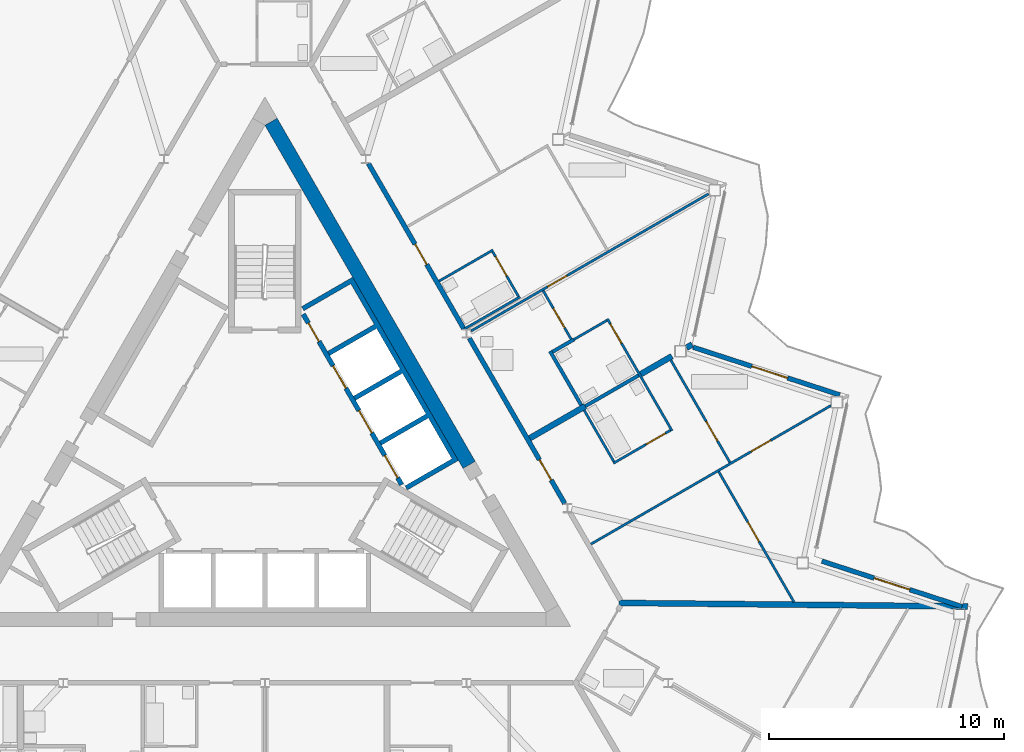
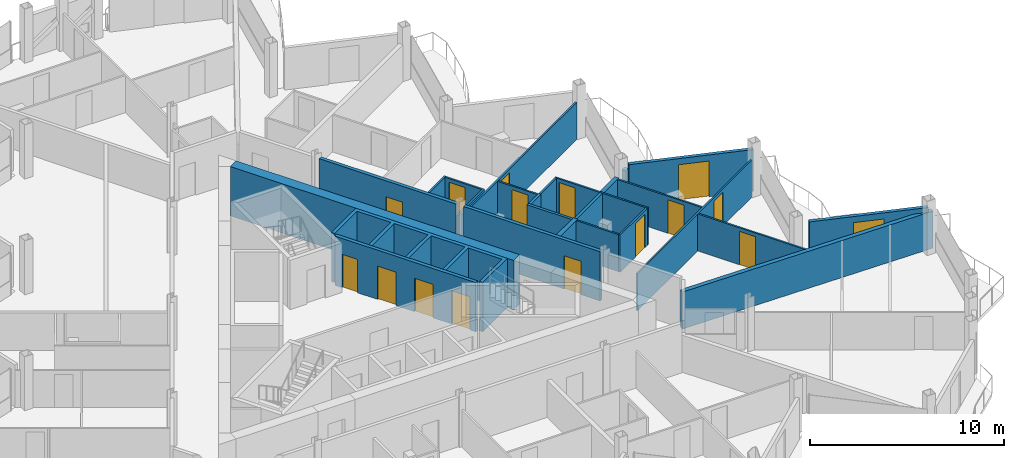
# One storey, part 16 of 26: 26 walls, 16 doors, 16 openings.
"""IFC4 building model written with IfcOpenShell, lengths in metres."""

from ifc_helpers import new_model, si_unit, direction, frame, frame_2d, origin, place, context, subcontext, project, spatial, polyline, rectangle, outline, extrude, material, layer, layer_set, type_object, element, fill, save


model = new_model("IFC4")

# Units and contexts
model_context = context("Model", 3, precision=1e-05, world=origin(), true_north=direction((0.0, 1.0)))
body_context = subcontext(model_context, "Body", "Model", "MODEL_VIEW")
ifc_project = project(units=[si_unit("LENGTHUNIT", "METRE"), si_unit("AREAUNIT", "SQUARE_METRE"), si_unit("VOLUMEUNIT", "CUBIC_METRE"), si_unit("PLANEANGLEUNIT", "RADIAN"), si_unit("MASSUNIT", "GRAM", prefix="KILO")], contexts=[model_context])

# Site, building, storey
site_placement = place(None, origin())
site = spatial("IfcSite", under=ifc_project, at=site_placement, CompositionType="ELEMENT")
building_placement = place(site_placement, origin())
building = spatial("IfcBuilding", under=site, at=building_placement, Name="Cormorant Prow Tower", CompositionType="ELEMENT")
storey_placement = place(building_placement, frame((0.0, 0.0, 374.60009765625)))
storey = spatial("IfcBuildingStorey", under=building, at=storey_placement, Name="L84", CompositionType="ELEMENT", Elevation=374.60009765625)

# Wall
ifc_material_1 = material(Name="Concrete 8000 psi", Category="concrete")
ifc_layer_1 = layer(ifc_material_1, 0.60009765625)
ifc_layer_set_1 = layer_set([ifc_layer_1], Name="Concrete 8000 psi")
wall_type_1 = type_object("IfcWallType", Name="Core shear wall 600", PredefinedType="SHEAR", material=ifc_layer_set_1)
wall_1_placement = place(storey_placement, frame((8.686279296875, -0.6337890625, 0.0), z_axis=(0.0, 0.0, 1.0), x_axis=(-0.500004601921, 0.866022746848, 0.0)))
element("IfcWall", 1, at=wall_1_placement, inside=storey, type_object=wall_type_1, Name="Core wall", PredefinedType="SHEAR", context=body_context, shape_type="SweptSolid", body=[
    extrude(rectangle(XDim=16.852783203125, YDim=0.60009765625, at=frame_2d((8.42626953125, 0.0))), origin(), (0.0, 0.0, 1.0), 3.099853515625),
])

# Wall, opening, door
ifc_material_2 = material(Name="Gypsum board corridor wall")
ifc_layer_2 = layer(ifc_material_2, 0.199951171875)
ifc_layer_set_2 = layer_set([ifc_layer_2], Name="Gypsum board corridor wall")
wall_type_2 = type_object("IfcWallType", Name="Corridor wall 200", PredefinedType="PARTITIONING", material=ifc_layer_set_2)
wall_2_placement = place(storey_placement, frame((4.403076171875, 12.184814453125, 0.0), z_axis=(0.0, 0.0, 1.0), x_axis=(0.499992155518, -0.866029932751, 0.0)))
wall_2 = element("IfcWall", 2, at=wall_2_placement, inside=storey, type_object=wall_type_2, Name="Corridor wall", PredefinedType="PARTITIONING", context=body_context, shape_type="SweptSolid", body=[
    extrude(rectangle(XDim=8.123291015625, YDim=0.199951171875, at=frame_2d((4.0615234375, 0.0))), origin(), (0.0, 0.0, 1.0), 3.099853515625),
])
opening_1_placement = place(wall_2_placement, frame((3.963134765625, 0.0, 0.0)))
opening_1 = element("IfcOpeningElement", 3, at=opening_1_placement, cuts=wall_2, Name="Opening L84-F27", PredefinedType="OPENING", context=body_context, shape_type="SweptSolid", body=[
    extrude(rectangle(XDim=1.0, YDim=2.10009765625, at=frame_2d((0.5, 1.050048828125))), frame((0.0, 0.10986328125, 0.0), z_axis=(0.0, -1.0, 0.0), x_axis=(1.0, 0.0, 0.0)), (0.0, 0.0, 1.0), 0.219970703125),
])
ifc_material_3 = material(Name="Timber door leaf", Category="wood")
door_type_1 = type_object("IfcDoorType", Name="Flat or room entrance door 1000x2100", OperationType="NOTDEFINED", PredefinedType="DOOR", material=ifc_material_3)
door_1_placement = place(opening_1_placement, origin())
door_1 = element("IfcDoor", 4, at=door_1_placement, inside=storey, type_object=door_type_1, Name="Living room door", OperationType="SINGLE_SWING_LEFT", OverallHeight=2.10009765625, OverallWidth=1.0, PredefinedType="DOOR", context=body_context, shape_type="SweptSolid", body=[
    extrude(rectangle(XDim=1.0, YDim=2.10009765625, at=frame_2d((0.5, 1.050048828125))), frame((0.0, 0.02490234375, 0.0), z_axis=(0.0, -1.0, 0.0), x_axis=(1.0, 0.0, 0.0)), (0.0, 0.0, 1.0), 0.050048828125),
])
fill(opening_1, door_1)

wall_3_placement = place(storey_placement, frame((8.692138671875, 4.755859375, 0.0), z_axis=(0.0, 0.0, 1.0), x_axis=(0.500001682468, -0.866024432409, 0.0)))
wall_3 = element("IfcWall", 5, at=wall_3_placement, inside=storey, type_object=wall_type_2, Name="Corridor wall", PredefinedType="PARTITIONING", context=body_context, shape_type="SweptSolid", body=[
    extrude(rectangle(XDim=8.12353515625, YDim=0.199951171875, at=frame_2d((4.061767578125, 0.0))), origin(), (0.0, 0.0, 1.0), 3.099853515625),
])
opening_2_placement = place(wall_3_placement, frame((5.97021484375, 0.0, 0.0)))
opening_2 = element("IfcOpeningElement", 6, at=opening_2_placement, cuts=wall_3, Name="Opening L84-F22", PredefinedType="OPENING", context=body_context, shape_type="SweptSolid", body=[
    extrude(rectangle(XDim=1.0, YDim=2.10009765625, at=frame_2d((0.5, 1.050048828125))), frame((0.0, 0.10986328125, 0.0), z_axis=(0.0, -1.0, 0.0), x_axis=(1.0, 0.0, 0.0)), (0.0, 0.0, 1.0), 0.219970703125),
])
door_2_placement = place(opening_2_placement, origin())
door_2 = element("IfcDoor", 7, at=door_2_placement, inside=storey, type_object=door_type_1, Name="Living room door", OperationType="SINGLE_SWING_LEFT", OverallHeight=2.10009765625, OverallWidth=1.0, PredefinedType="DOOR", context=body_context, shape_type="SweptSolid", body=[
    extrude(rectangle(XDim=1.0, YDim=2.10009765625, at=frame_2d((0.5, 1.050048828125))), frame((0.0, 0.02490234375, 0.0), z_axis=(0.0, -1.0, 0.0), x_axis=(1.0, 0.0, 0.0)), (0.0, 0.0, 1.0), 0.050048828125),
])
fill(opening_2, door_2)

ifc_material_4 = material(Name="Gypsum board partition")
ifc_layer_3 = layer(ifc_material_4, 0.10009765625)
ifc_layer_set_3 = layer_set([ifc_layer_3], Name="Gypsum board partition")
wall_type_3 = type_object("IfcWallType", Name="Internal partition 100", PredefinedType="PARTITIONING", material=ifc_layer_set_3)
wall_4_placement = place(storey_placement, frame((13.864990234375, -4.00390625, 0.0), z_axis=(0.0, 0.0, 1.0), x_axis=(0.866023404247, 0.500003463284, 0.0)))
wall_4 = element("IfcWall", 8, at=wall_4_placement, inside=storey, type_object=wall_type_3, Name="Internal partition", PredefinedType="PARTITIONING", context=body_context, shape_type="SweptSolid", body=[
    extrude(rectangle(XDim=11.7822265625, YDim=0.10009765625, at=frame_2d((5.89111328125, 0.0))), origin(), (0.0, 0.0, 1.0), 2.330078125),
])
opening_3_placement = place(wall_4_placement, frame((7.87353515625, 0.0, 0.0)))
opening_3 = element("IfcOpeningElement", 9, at=opening_3_placement, cuts=wall_4, Name="Opening L84-F25", PredefinedType="OPENING", context=body_context, shape_type="SweptSolid", body=[
    extrude(rectangle(XDim=0.949951171875, YDim=2.10009765625, at=frame_2d((0.47509765625, 1.050048828125))), frame((0.0, 0.06005859375, 0.0), z_axis=(0.0, -1.0, 0.0), x_axis=(1.0, 0.0, 0.0)), (0.0, 0.0, 1.0), 0.1201171875),
])
ifc_material_5 = material(Name="Timber door leaf", Category="wood")
door_type_2 = type_object("IfcDoorType", Name="Bathroom door 950x2100", OperationType="NOTDEFINED", PredefinedType="DOOR", material=ifc_material_5)
door_3_placement = place(opening_3_placement, origin())
door_3 = element("IfcDoor", 10, at=door_3_placement, inside=storey, type_object=door_type_2, Name="Kitchen door", OperationType="SINGLE_SWING_LEFT", OverallHeight=2.10009765625, OverallWidth=0.949951171875, PredefinedType="DOOR", context=body_context, shape_type="SweptSolid", body=[
    extrude(rectangle(XDim=0.949951171875, YDim=2.10009765625, at=frame_2d((0.47509765625, 1.050048828125))), frame((0.0, 0.02490234375, 0.0), z_axis=(0.0, -1.0, 0.0), x_axis=(1.0, 0.0, 0.0)), (0.0, 0.0, 1.0), 0.050048828125),
])
fill(opening_3, door_3)

wall_5_placement = place(storey_placement, frame((8.775390625, 5.06640625, 0.0), z_axis=(0.0, 0.0, 1.0), x_axis=(0.866023724155, 0.500002909193, 0.0)))
wall_5 = element("IfcWall", 11, at=wall_5_placement, inside=storey, type_object=wall_type_3, Name="Internal partition", PredefinedType="PARTITIONING", context=body_context, shape_type="SweptSolid", body=[
    extrude(rectangle(XDim=11.65478515625, YDim=0.10009765625, at=frame_2d((5.827392578125, 0.0))), origin(), (0.0, 0.0, 1.0), 2.330078125),
])
opening_4_placement = place(wall_5_placement, frame((3.75146484375, 0.0, 0.0)))
opening_4 = element("IfcOpeningElement", 12, at=opening_4_placement, cuts=wall_5, Name="Opening L84-F30", PredefinedType="OPENING", context=body_context, shape_type="SweptSolid", body=[
    extrude(rectangle(XDim=0.949951171875, YDim=2.10009765625, at=frame_2d((0.47509765625, 1.050048828125))), frame((0.0, 0.06005859375, 0.0), z_axis=(0.0, -1.0, 0.0), x_axis=(1.0, 0.0, 0.0)), (0.0, 0.0, 1.0), 0.1201171875),
])
door_4_placement = place(opening_4_placement, origin())
door_4 = element("IfcDoor", 13, at=door_4_placement, inside=storey, type_object=door_type_2, Name="Living room door", OperationType="SINGLE_SWING_LEFT", OverallHeight=2.10009765625, OverallWidth=0.949951171875, PredefinedType="DOOR", context=body_context, shape_type="SweptSolid", body=[
    extrude(rectangle(XDim=0.949951171875, YDim=2.10009765625, at=frame_2d((0.47509765625, 1.050048828125))), frame((0.0, 0.02490234375, 0.0), z_axis=(0.0, -1.0, 0.0), x_axis=(1.0, 0.0, 0.0)), (0.0, 0.0, 1.0), 0.050048828125),
])
fill(opening_4, door_4)

wall_6_placement = place(storey_placement, frame((19.301513671875, -0.9228515625, 0.0), z_axis=(0.0, 0.0, 1.0), x_axis=(0.499999516514, -0.866025682925, 0.0)))
wall_6 = element("IfcWall", 14, at=wall_6_placement, inside=storey, type_object=wall_type_3, Name="Internal partition", PredefinedType="PARTITIONING", context=body_context, shape_type="SweptSolid", body=[
    extrude(rectangle(XDim=6.4072265625, YDim=0.10009765625, at=frame_2d((3.20361328125, 0.0))), origin(), (0.0, 0.0, 1.0), 2.330078125),
])
opening_5_placement = place(wall_6_placement, frame((2.4755859375, 0.0, 0.0)))
opening_5 = element("IfcOpeningElement", 15, at=opening_5_placement, cuts=wall_6, Name="Opening L84-F26", PredefinedType="OPENING", context=body_context, shape_type="SweptSolid", body=[
    extrude(rectangle(XDim=0.949951171875, YDim=2.10009765625, at=frame_2d((0.47509765625, 1.050048828125))), frame((0.0, 0.06005859375, 0.0), z_axis=(0.0, -1.0, 0.0), x_axis=(1.0, 0.0, 0.0)), (0.0, 0.0, 1.0), 0.1201171875),
])
door_5_placement = place(opening_5_placement, origin())
door_5 = element("IfcDoor", 16, at=door_5_placement, inside=storey, type_object=door_type_2, Name="Bedroom door", OperationType="SINGLE_SWING_RIGHT", OverallHeight=2.10009765625, OverallWidth=0.949951171875, PredefinedType="DOOR", context=body_context, shape_type="SweptSolid", body=[
    extrude(rectangle(XDim=0.949951171875, YDim=2.10009765625, at=frame_2d((0.47509765625, 1.050048828125))), frame((0.0, 0.02490234375, 0.0), z_axis=(0.0, -1.0, 0.0), x_axis=(1.0, 0.0, 0.0)), (0.0, 0.0, 1.0), 0.050048828125),
])
fill(opening_5, door_5)

wall_7_placement = place(storey_placement, frame((14.566650390625, 5.5810546875, 0.0), z_axis=(0.0, 0.0, 1.0), x_axis=(0.499996545922, -0.866027397988, 0.0)))
wall_7 = element("IfcWall", 17, at=wall_7_placement, inside=storey, type_object=wall_type_3, Name="Internal partition", PredefinedType="PARTITIONING", context=body_context, shape_type="SweptSolid", body=[
    extrude(rectangle(XDim=5.5, YDim=0.10009765625, at=frame_2d((2.75, 0.0))), origin(), (0.0, 0.0, 1.0), 2.330078125),
])
opening_6_placement = place(wall_7_placement, frame((0.25, 0.0, 0.0)))
opening_6 = element("IfcOpeningElement", 18, at=opening_6_placement, cuts=wall_7, Name="Opening L84-F34", PredefinedType="OPENING", context=body_context, shape_type="SweptSolid", body=[
    extrude(rectangle(XDim=0.949951171875, YDim=2.10009765625, at=frame_2d((0.47509765625, 1.050048828125))), frame((0.0, 0.06005859375, 0.0), z_axis=(0.0, -1.0, 0.0), x_axis=(1.0, 0.0, 0.0)), (0.0, 0.0, 1.0), 0.1201171875),
])
door_6_placement = place(opening_6_placement, origin())
door_6 = element("IfcDoor", 19, at=door_6_placement, inside=storey, type_object=door_type_2, Name="Bedroom door", OperationType="SINGLE_SWING_LEFT", OverallHeight=2.10009765625, OverallWidth=0.949951171875, PredefinedType="DOOR", context=body_context, shape_type="SweptSolid", body=[
    extrude(rectangle(XDim=0.949951171875, YDim=2.10009765625, at=frame_2d((0.47509765625, 1.050048828125))), frame((0.0, 0.02490234375, 0.0), z_axis=(0.0, -1.0, 0.0), x_axis=(1.0, 0.0, 0.0)), (0.0, 0.0, 1.0), 0.050048828125),
])
fill(opening_6, door_6)

wall_8_placement = place(storey_placement, frame((17.266357421875, 3.81982421875, 0.0), z_axis=(0.0, 0.0, 1.0), x_axis=(0.499990214365, -0.86603105345, 0.0)))
wall_8 = element("IfcWall", 20, at=wall_8_placement, inside=storey, type_object=wall_type_3, Name="Internal partition", PredefinedType="PARTITIONING", context=body_context, shape_type="SweptSolid", body=[
    extrude(rectangle(XDim=5.02490234375, YDim=0.10009765625, at=frame_2d((2.512451171875, 0.0))), origin(), (0.0, 0.0, 1.0), 2.330078125),
])
opening_7_placement = place(wall_8_placement, frame((3.0078125, 0.0, 0.0)))
opening_7 = element("IfcOpeningElement", 21, at=opening_7_placement, cuts=wall_8, Name="Opening L84-F24", PredefinedType="OPENING", context=body_context, shape_type="SweptSolid", body=[
    extrude(rectangle(XDim=0.949951171875, YDim=2.10009765625, at=frame_2d((0.47509765625, 1.050048828125))), frame((0.0, 0.06005859375, 0.0), z_axis=(0.0, -1.0, 0.0), x_axis=(1.0, 0.0, 0.0)), (0.0, 0.0, 1.0), 0.1201171875),
])
door_7_placement = place(opening_7_placement, origin())
door_7 = element("IfcDoor", 22, at=door_7_placement, inside=storey, type_object=door_type_2, Name="Living room door", OperationType="SINGLE_SWING_RIGHT", OverallHeight=2.10009765625, OverallWidth=0.949951171875, PredefinedType="DOOR", context=body_context, shape_type="SweptSolid", body=[
    extrude(rectangle(XDim=0.949951171875, YDim=2.10009765625, at=frame_2d((0.47509765625, 1.050048828125))), frame((0.0, 0.02490234375, 0.0), z_axis=(0.0, -1.0, 0.0), x_axis=(1.0, 0.0, 0.0)), (0.0, 0.0, 1.0), 0.050048828125),
])
fill(opening_7, door_7)

wall_9_placement = place(storey_placement, frame((14.823486328125, -0.563720703125, 0.0), z_axis=(0.0, 0.0, 1.0), x_axis=(0.866034573852, 0.49998411664, 0.0)))
wall_9 = element("IfcWall", 23, at=wall_9_placement, inside=storey, type_object=wall_type_3, Name="Internal partition", PredefinedType="PARTITIONING", context=body_context, shape_type="SweptSolid", body=[
    extrude(rectangle(XDim=2.7998046875, YDim=0.10009765625, at=frame_2d((1.39990234375, 0.0))), origin(), (0.0, 0.0, 1.0), 2.330078125),
])
opening_8_placement = place(wall_9_placement, frame((1.60009765625, 0.0, 0.0)))
opening_8 = element("IfcOpeningElement", 24, at=opening_8_placement, cuts=wall_9, Name="Opening L84-F23", PredefinedType="OPENING", context=body_context, shape_type="SweptSolid", body=[
    extrude(rectangle(XDim=0.949951171875, YDim=2.10009765625, at=frame_2d((0.47509765625, 1.050048828125))), frame((0.0, 0.06005859375, 0.0), z_axis=(0.0, -1.0, 0.0), x_axis=(1.0, 0.0, 0.0)), (0.0, 0.0, 1.0), 0.1201171875),
])
door_8_placement = place(opening_8_placement, origin())
door_8 = element("IfcDoor", 25, at=door_8_placement, inside=storey, type_object=door_type_2, Name="Living room door", OperationType="SINGLE_SWING_RIGHT", OverallHeight=2.10009765625, OverallWidth=0.949951171875, PredefinedType="DOOR", context=body_context, shape_type="SweptSolid", body=[
    extrude(rectangle(XDim=0.949951171875, YDim=2.10009765625, at=frame_2d((0.47509765625, 1.050048828125))), frame((0.0, 0.02490234375, 0.0), z_axis=(0.0, -1.0, 0.0), x_axis=(1.0, 0.0, 0.0)), (0.0, 0.0, 1.0), 0.050048828125),
])
fill(opening_8, door_8)

# Walls
wall_10_placement = place(storey_placement, frame((13.5791015625, 1.691162109375, 0.0), z_axis=(0.0, 0.0, 1.0), x_axis=(0.500048846702, -0.865997200291, 0.0)))
element("IfcWall", 26, at=wall_10_placement, inside=storey, type_object=wall_type_3, Name="Internal partition", PredefinedType="PARTITIONING", context=body_context, shape_type="SweptSolid", body=[
    extrude(rectangle(XDim=2.525146484375, YDim=0.10009765625, at=frame_2d((1.2626953125, 0.0))), origin(), (0.0, 0.0, 1.0), 2.330078125),
])
wall_11_placement = place(storey_placement, frame((7.406982421875, 7.181640625, 0.0), z_axis=(0.0, 0.0, 1.0), x_axis=(0.866052124492, 0.499953715521, 0.0)))
element("IfcWall", 27, at=wall_11_placement, inside=storey, type_object=wall_type_3, Name="Internal partition", PredefinedType="PARTITIONING", context=body_context, shape_type="SweptSolid", body=[
    extrude(rectangle(XDim=2.650146484375, YDim=0.10009765625, at=frame_2d((1.3251953125, 0.0))), origin(), (0.0, 0.0, 1.0), 2.330078125),
])
wall_12_placement = place(storey_placement, frame((8.48779296875, 5.14990234375, 0.0), z_axis=(0.0, 0.0, 1.0), x_axis=(0.866027727466, 0.499995975244, 0.0)))
element("IfcWall", 28, at=wall_12_placement, inside=storey, type_object=wall_type_3, Name="Internal partition", PredefinedType="PARTITIONING", context=body_context, shape_type="SweptSolid", body=[
    extrude(rectangle(XDim=2.72998046875, YDim=0.10009765625, at=frame_2d((1.364990234375, 0.0))), origin(), (0.0, 0.0, 1.0), 2.330078125),
])

# Wall, opening, door
wall_13_placement = place(storey_placement, frame((11.8349609375, 6.775146484375, 0.0), z_axis=(0.0, 0.0, 1.0), x_axis=(0.500030943131, -0.866007538022, 0.0)))
wall_13 = element("IfcWall", 29, at=wall_13_placement, inside=storey, type_object=wall_type_3, Name="Internal partition", PredefinedType="PARTITIONING", context=body_context, shape_type="SweptSolid", body=[
    extrude(rectangle(XDim=2.374755859375, YDim=0.10009765625, at=frame_2d((1.1875, 0.0))), origin(), (0.0, 0.0, 1.0), 2.330078125),
])
opening_9_placement = place(wall_13_placement, frame((0.86669921875, 0.0, 0.0)))
opening_9 = element("IfcOpeningElement", 30, at=opening_9_placement, cuts=wall_13, Name="Opening L84-F31", PredefinedType="OPENING", context=body_context, shape_type="SweptSolid", body=[
    extrude(rectangle(XDim=0.949951171875, YDim=2.10009765625, at=frame_2d((0.47509765625, 1.050048828125))), frame((0.0, 0.06005859375, 0.0), z_axis=(0.0, -1.0, 0.0), x_axis=(1.0, 0.0, 0.0)), (0.0, 0.0, 1.0), 0.1201171875),
])
door_9_placement = place(opening_9_placement, origin())
door_9 = element("IfcDoor", 31, at=door_9_placement, inside=storey, type_object=door_type_2, Name="Bedroom door", OperationType="SINGLE_SWING_RIGHT", OverallHeight=2.10009765625, OverallWidth=0.949951171875, PredefinedType="DOOR", context=body_context, shape_type="SweptSolid", body=[
    extrude(rectangle(XDim=0.949951171875, YDim=2.10009765625, at=frame_2d((0.47509765625, 1.050048828125))), frame((0.0, 0.02490234375, 0.0), z_axis=(0.0, -1.0, 0.0), x_axis=(1.0, 0.0, 0.0)), (0.0, 0.0, 1.0), 0.050048828125),
])
fill(opening_9, door_9)

wall_14_placement = place(storey_placement, frame((9.683837890625, 8.438232421875, 0.0), z_axis=(0.0, 0.0, 1.0), x_axis=(0.499994660107, -0.866028486751, 0.0)))
wall_14 = element("IfcWall", 32, at=wall_14_placement, inside=storey, type_object=wall_type_3, Name="Internal partition", PredefinedType="PARTITIONING", context=body_context, shape_type="SweptSolid", body=[
    extrude(rectangle(XDim=2.19970703125, YDim=0.10009765625, at=frame_2d((1.099853515625, 0.0))), origin(), (0.0, 0.0, 1.0), 2.330078125),
])
opening_10_placement = place(wall_14_placement, frame((0.25, 0.0, 0.0)))
opening_10 = element("IfcOpeningElement", 33, at=opening_10_placement, cuts=wall_14, Name="Opening L84-F28", PredefinedType="OPENING", context=body_context, shape_type="SweptSolid", body=[
    extrude(rectangle(XDim=0.949951171875, YDim=2.10009765625, at=frame_2d((0.47509765625, 1.050048828125))), frame((0.0, 0.06005859375, 0.0), z_axis=(0.0, -1.0, 0.0), x_axis=(1.0, 0.0, 0.0)), (0.0, 0.0, 1.0), 0.1201171875),
])
door_10_placement = place(opening_10_placement, origin())
door_10 = element("IfcDoor", 34, at=door_10_placement, inside=storey, type_object=door_type_2, Name="Living room door", OperationType="SINGLE_SWING_LEFT", OverallHeight=2.10009765625, OverallWidth=0.949951171875, PredefinedType="DOOR", context=body_context, shape_type="SweptSolid", body=[
    extrude(rectangle(XDim=0.949951171875, YDim=2.10009765625, at=frame_2d((0.47509765625, 1.050048828125))), frame((0.0, 0.02490234375, 0.0), z_axis=(0.0, -1.0, 0.0), x_axis=(1.0, 0.0, 0.0)), (0.0, 0.0, 1.0), 0.050048828125),
])
fill(opening_10, door_10)

# Wall
wall_15_placement = place(storey_placement, frame((13.1162109375, 4.68603515625, 0.0), z_axis=(0.0, 0.0, 1.0), x_axis=(0.866072496716, 0.499918423778, 0.0)))
element("IfcWall", 35, at=wall_15_placement, inside=storey, type_object=wall_type_3, Name="Internal partition", PredefinedType="PARTITIONING", context=body_context, shape_type="SweptSolid", body=[
    extrude(rectangle(XDim=1.653564453125, YDim=0.10009765625, at=frame_2d((0.82666015625, 0.0))), origin(), (0.0, 0.0, 1.0), 2.330078125),
])

# Wall, openings, doors
ifc_material_6 = material(Name="Concrete 5000 psi", Category="concrete")
ifc_layer_4 = layer(ifc_material_6, 0.199951171875)
ifc_layer_set_4 = layer_set([ifc_layer_4], Name="Concrete 5000 psi")
wall_type_4 = type_object("IfcWallType", Name="Lift lobby wall 200", PredefinedType="SOLIDWALL", material=ifc_layer_set_4)
wall_16_placement = place(storey_placement, frame((5.817138671875, -1.4755859375, 0.0), z_axis=(0.0, 0.0, 1.0), x_axis=(-0.500002616675, 0.866023893041, 0.0)))
wall_16 = element("IfcWall", 36, at=wall_16_placement, inside=storey, type_object=wall_type_4, Name="Lift lobby wall, ENE block", PredefinedType="SOLIDWALL", context=body_context, shape_type="SweptSolid", body=[
    extrude(rectangle(XDim=8.373046875, YDim=0.199951171875, at=frame_2d((4.1865234375, 0.0))), origin(), (0.0, 0.0, 1.0), 3.099853515625),
])
opening_11_placement = place(wall_16_placement, frame((0.336669921875, 0.0, 0.0)))
opening_11 = element("IfcOpeningElement", 37, at=opening_11_placement, cuts=wall_16, Name="Opening L84-C05", PredefinedType="OPENING", context=body_context, shape_type="SweptSolid", body=[
    extrude(rectangle(XDim=1.10009765625, YDim=2.10009765625, at=frame_2d((0.550048828125, 1.050048828125))), frame((0.0, 0.10986328125, 0.0), z_axis=(0.0, -1.0, 0.0), x_axis=(1.0, 0.0, 0.0)), (0.0, 0.0, 1.0), 0.219970703125),
])
opening_12_placement = place(wall_16_placement, frame((2.53662109375, 0.0, 0.0)))
opening_12 = element("IfcOpeningElement", 38, at=opening_12_placement, cuts=wall_16, Name="Opening L84-C06", PredefinedType="OPENING", context=body_context, shape_type="SweptSolid", body=[
    extrude(rectangle(XDim=1.10009765625, YDim=2.10009765625, at=frame_2d((0.550048828125, 1.050048828125))), frame((0.0, 0.10986328125, 0.0), z_axis=(0.0, -1.0, 0.0), x_axis=(1.0, 0.0, 0.0)), (0.0, 0.0, 1.0), 0.219970703125),
])
opening_13_placement = place(wall_16_placement, frame((4.736572265625, 0.0, 0.0)))
opening_13 = element("IfcOpeningElement", 39, at=opening_13_placement, cuts=wall_16, Name="Opening L84-C07", PredefinedType="OPENING", context=body_context, shape_type="SweptSolid", body=[
    extrude(rectangle(XDim=1.10009765625, YDim=2.10009765625, at=frame_2d((0.550048828125, 1.050048828125))), frame((0.0, 0.10986328125, 0.0), z_axis=(0.0, -1.0, 0.0), x_axis=(1.0, 0.0, 0.0)), (0.0, 0.0, 1.0), 0.219970703125),
])
opening_14_placement = place(wall_16_placement, frame((7.03662109375, 0.0, 0.0)))
opening_14 = element("IfcOpeningElement", 40, at=opening_14_placement, cuts=wall_16, Name="Opening L84-C08", PredefinedType="OPENING", context=body_context, shape_type="SweptSolid", body=[
    extrude(rectangle(XDim=0.89990234375, YDim=2.10009765625, at=frame_2d((0.449951171875, 1.050048828125))), frame((0.0, 0.10986328125, 0.0), z_axis=(0.0, -1.0, 0.0), x_axis=(1.0, 0.0, 0.0)), (0.0, 0.0, 1.0), 0.219970703125),
])
ifc_material_7 = material(Name="Painted steel", Category="steel")
door_type_3 = type_object("IfcDoorType", Name="Lift landing door 1100x2100", OperationType="SLIDING_TO_LEFT", PredefinedType="DOOR", material=ifc_material_7)
door_11_placement = place(opening_11_placement, origin())
door_11 = element("IfcDoor", 41, at=door_11_placement, inside=storey, type_object=door_type_3, Name="Landing door HR2", OperationType="SLIDING_TO_LEFT", OverallHeight=2.10009765625, OverallWidth=1.10009765625, PredefinedType="DOOR", context=body_context, shape_type="SweptSolid", body=[
    extrude(rectangle(XDim=1.10009765625, YDim=2.10009765625, at=frame_2d((0.550048828125, 1.050048828125))), frame((0.0, 0.02490234375, 0.0), z_axis=(0.0, -1.0, 0.0), x_axis=(1.0, 0.0, 0.0)), (0.0, 0.0, 1.0), 0.050048828125),
])
fill(opening_11, door_11)
door_12_placement = place(opening_12_placement, origin())
door_12 = element("IfcDoor", 42, at=door_12_placement, inside=storey, type_object=door_type_3, Name="Landing door HR3", OperationType="SLIDING_TO_LEFT", OverallHeight=2.10009765625, OverallWidth=1.10009765625, PredefinedType="DOOR", context=body_context, shape_type="SweptSolid", body=[
    extrude(rectangle(XDim=1.10009765625, YDim=2.10009765625, at=frame_2d((0.550048828125, 1.050048828125))), frame((0.0, 0.02490234375, 0.0), z_axis=(0.0, -1.0, 0.0), x_axis=(1.0, 0.0, 0.0)), (0.0, 0.0, 1.0), 0.050048828125),
])
fill(opening_12, door_12)
door_13_placement = place(opening_13_placement, origin())
door_13 = element("IfcDoor", 43, at=door_13_placement, inside=storey, type_object=door_type_3, Name="Landing door HR4", OperationType="SLIDING_TO_LEFT", OverallHeight=2.10009765625, OverallWidth=1.10009765625, PredefinedType="DOOR", context=body_context, shape_type="SweptSolid", body=[
    extrude(rectangle(XDim=1.10009765625, YDim=2.10009765625, at=frame_2d((0.550048828125, 1.050048828125))), frame((0.0, 0.02490234375, 0.0), z_axis=(0.0, -1.0, 0.0), x_axis=(1.0, 0.0, 0.0)), (0.0, 0.0, 1.0), 0.050048828125),
])
fill(opening_13, door_13)
ifc_material_8 = material(Name="Painted steel", Category="steel")
door_type_4 = type_object("IfcDoorType", Name="Service door 900x2100", OperationType="NOTDEFINED", PredefinedType="DOOR", material=ifc_material_8)
door_14_placement = place(opening_14_placement, origin())
door_14 = element("IfcDoor", 44, at=door_14_placement, inside=storey, type_object=door_type_4, Name="Service door, Housekeeping store", OperationType="SINGLE_SWING_RIGHT", OverallHeight=2.10009765625, OverallWidth=0.89990234375, PredefinedType="DOOR", context=body_context, shape_type="SweptSolid", body=[
    extrude(rectangle(XDim=0.89990234375, YDim=2.10009765625, at=frame_2d((0.449951171875, 1.050048828125))), frame((0.0, 0.02490234375, 0.0), z_axis=(0.0, -1.0, 0.0), x_axis=(1.0, 0.0, 0.0)), (0.0, 0.0, 1.0), 0.050048828125),
])
fill(opening_14, door_14)

# Walls
ifc_material_9 = material(Name="Concrete 8000 psi", Category="concrete")
ifc_layer_5 = layer(ifc_material_9, 0.199951171875)
ifc_layer_set_5 = layer_set([ifc_layer_5], Name="Concrete 8000 psi")
wall_type_5 = type_object("IfcWallType", Name="Lift shaft wall 200", PredefinedType="SHEAR", material=ifc_layer_set_5)
wall_17_placement = place(storey_placement, origin())
element("IfcWall", 45, at=wall_17_placement, inside=storey, type_object=wall_type_5, Name="Lift shaft walls, ENE block", PredefinedType="SHEAR", context=body_context, shape_type="SweptSolid", body=[
    extrude(outline(polyline([(1.560546875, 6.09716796875), (3.730712890625, 7.35009765625), (8.230712890625, -0.444091796875), (6.060546875, -1.697021484375), (5.96044921875, -1.52392578125), (7.952392578125, -0.373779296875), (6.952392578125, 1.358154296875), (4.96044921875, 0.2080078125), (4.860595703125, 0.38134765625), (6.852294921875, 1.53125), (5.852294921875, 3.263427734375), (3.860595703125, 2.11328125), (3.760498046875, 2.28662109375), (5.75244140625, 3.4365234375), (4.75244140625, 5.168701171875), (2.760498046875, 4.018798828125), (2.660400390625, 4.19189453125), (4.65234375, 5.341796875), (3.65234375, 7.073974609375), (1.660400390625, 5.923828125), (1.560546875, 6.09716796875)])), origin(), (0.0, 0.0, 1.0), 3.099853515625),
])
ifc_material_10 = material(Name="Acoustic gypsum party wall")
ifc_layer_6 = layer(ifc_material_10, 0.25)
ifc_layer_set_6 = layer_set([ifc_layer_6], Name="Acoustic gypsum party wall")
wall_type_6 = type_object("IfcWallType", Name="Suite party wall 250", PredefinedType="PARTITIONING", material=ifc_layer_set_6)
wall_18_placement = place(storey_placement, frame((15.06884765625, -6.504150390625, 0.0), z_axis=(0.0, 0.0, 1.0), x_axis=(0.999949045807, -0.01009483976, 0.0)))
element("IfcWall", 46, at=wall_18_placement, inside=storey, type_object=wall_type_6, Name="Suite party wall", PredefinedType="PARTITIONING", context=body_context, shape_type="SweptSolid", body=[
    extrude(rectangle(XDim=14.8251953125, YDim=0.25, at=frame_2d((7.41259765625, 0.0))), origin(), (0.0, 0.0, 1.0), 2.330078125),
])
wall_19_placement = place(storey_placement, frame((11.26513671875, 0.49951171875, 0.0), z_axis=(0.0, 0.0, 1.0), x_axis=(0.866051307416, 0.49995513091, 0.0)))
element("IfcWall", 47, at=wall_19_placement, inside=storey, type_object=wall_type_6, Name="Suite party wall", PredefinedType="PARTITIONING", context=body_context, shape_type="SweptSolid", body=[
    extrude(rectangle(XDim=2.724853515625, YDim=0.25, at=frame_2d((1.3623046875, 0.0))), origin(), (0.0, 0.0, 1.0), 2.330078125),
])
wall_20_placement = place(storey_placement, frame((15.98486328125, 3.224365234375, 0.0), z_axis=(0.0, 0.0, 1.0), x_axis=(0.865989259495, 0.50006259852, 0.0)))
element("IfcWall", 48, at=wall_20_placement, inside=storey, type_object=wall_type_6, Name="Suite party wall", PredefinedType="PARTITIONING", context=body_context, shape_type="SweptSolid", body=[
    extrude(rectangle(XDim=1.532470703125, YDim=0.25, at=frame_2d((0.76611328125, 0.0))), origin(), (0.0, 0.0, 1.0), 2.330078125),
])
wall_21_placement = place(storey_placement, frame((17.933837890625, 4.349609375, 0.0), z_axis=(0.0, 0.0, 1.0), x_axis=(0.866288059981, 0.499544789918, 0.0)))
element("IfcWall", 49, at=wall_21_placement, inside=storey, type_object=wall_type_6, Name="Suite party wall", PredefinedType="PARTITIONING", context=body_context, shape_type="SweptSolid", body=[
    extrude(rectangle(XDim=0.277587890625, YDim=0.25, at=frame_2d((0.138671875, 0.0))), origin(), (0.0, 0.0, 1.0), 2.330078125),
])

# Wall, opening, door
ifc_material_11 = material(Name="Terracotta", Category="masonry")
ifc_layer_7 = layer(ifc_material_11, 0.199951171875)
ifc_layer_set_7 = layer_set([ifc_layer_7], Name="Terracotta")
wall_type_7 = type_object("IfcWallType", Name="Terracotta jamb wall 200", PredefinedType="SOLIDWALL", material=ifc_layer_set_7)
wall_22_placement = place(storey_placement, frame((29.64990234375, -6.66259765625, 0.0), z_axis=(0.0, 0.0, 1.0), x_axis=(-0.951056402988, 0.3090173431, 0.0)))
wall_22 = element("IfcWall", 50, at=wall_22_placement, inside=storey, type_object=wall_type_7, Name="Terracotta jamb wall ENE01", PredefinedType="SOLIDWALL", context=body_context, shape_type="SweptSolid", body=[
    extrude(rectangle(XDim=6.26513671875, YDim=0.199951171875, at=frame_2d((3.132568359375, 0.0))), origin(), (0.0, 0.0, 1.0), 2.6337890625),
])
opening_15_placement = place(wall_22_placement, frame((2.332763671875, 0.0, 0.0)))
opening_15 = element("IfcOpeningElement", 51, at=opening_15_placement, cuts=wall_22, Name="Opening ED84.06", PredefinedType="OPENING", context=body_context, shape_type="SweptSolid", body=[
    extrude(rectangle(XDim=1.60009765625, YDim=2.25, at=frame_2d((0.800048828125, 1.125))), frame((0.0, 0.10986328125, 0.0), z_axis=(0.0, -1.0, 0.0), x_axis=(1.0, 0.0, 0.0)), (0.0, 0.0, 1.0), 0.219970703125),
])
ifc_material_12 = material(Name="Aluminium 6063-T6", Category="aluminium")
door_type_5 = type_object("IfcDoorType", Name="Balcony door 1600x2250", OperationType="DOUBLE_DOOR_SINGLE_SWING", PredefinedType="DOOR", material=ifc_material_12)
door_15_placement = place(opening_15_placement, origin())
door_15 = element("IfcDoor", 52, at=door_15_placement, inside=storey, type_object=door_type_5, Name="Balcony door ENE01 ED84.06", OperationType="DOUBLE_DOOR_SINGLE_SWING", OverallHeight=2.25, OverallWidth=1.60009765625, PredefinedType="DOOR", context=body_context, shape_type="SweptSolid", body=[
    extrude(rectangle(XDim=1.60009765625, YDim=2.25, at=frame_2d((0.800048828125, 1.125))), frame((0.0, 0.02490234375, 0.0), z_axis=(0.0, -1.0, 0.0), x_axis=(1.0, 0.0, 0.0)), (0.0, 0.0, 1.0), 0.050048828125),
])
fill(opening_15, door_15)

wall_23_placement = place(storey_placement, frame((24.449951171875, 2.34423828125, 0.0), z_axis=(0.0, 0.0, 1.0), x_axis=(-0.951062538214, 0.308998460199, 0.0)))
wall_23 = element("IfcWall", 53, at=wall_23_placement, inside=storey, type_object=wall_type_7, Name="Terracotta jamb wall ENE03", PredefinedType="SOLIDWALL", context=body_context, shape_type="SweptSolid", body=[
    extrude(rectangle(XDim=6.55322265625, YDim=0.199951171875, at=frame_2d((3.276611328125, 0.0))), origin(), (0.0, 0.0, 1.0), 2.6337890625),
])
opening_16_placement = place(wall_23_placement, frame((2.332763671875, 0.0, 0.0)))
opening_16 = element("IfcOpeningElement", 54, at=opening_16_placement, cuts=wall_23, Name="Opening ED84.07", PredefinedType="OPENING", context=body_context, shape_type="SweptSolid", body=[
    extrude(rectangle(XDim=1.60009765625, YDim=2.25, at=frame_2d((0.800048828125, 1.125))), frame((0.0, 0.10986328125, 0.0), z_axis=(0.0, -1.0, 0.0), x_axis=(1.0, 0.0, 0.0)), (0.0, 0.0, 1.0), 0.219970703125),
])
door_16_placement = place(opening_16_placement, origin())
door_16 = element("IfcDoor", 55, at=door_16_placement, inside=storey, type_object=door_type_5, Name="Balcony door ENE03 ED84.07", OperationType="DOUBLE_DOOR_SINGLE_SWING", OverallHeight=2.25, OverallWidth=1.60009765625, PredefinedType="DOOR", context=body_context, shape_type="SweptSolid", body=[
    extrude(rectangle(XDim=1.60009765625, YDim=2.25, at=frame_2d((0.800048828125, 1.125))), frame((0.0, 0.02490234375, 0.0), z_axis=(0.0, -1.0, 0.0), x_axis=(1.0, 0.0, 0.0)), (0.0, 0.0, 1.0), 0.050048828125),
])
fill(opening_16, door_16)

# Walls
ifc_material_13 = material(Name="Plasterboard wet wall with pipe chase")
ifc_layer_8 = layer(ifc_material_13, 0.14990234375)
ifc_layer_set_8 = layer_set([ifc_layer_8], Name="Plasterboard wet wall with pipe chase")
wall_type_8 = type_object("IfcWallType", Name="Wet wall 150", PredefinedType="PLUMBINGWALL", material=ifc_layer_set_8)
wall_24_placement = place(storey_placement, frame((13.625, 1.86181640625, 0.0), z_axis=(0.0, 0.0, 1.0), x_axis=(0.866013657776, 0.500020344131, 0.0)))
element("IfcWall", 56, at=wall_24_placement, inside=storey, type_object=wall_type_8, Name="Wet wall", PredefinedType="PLUMBINGWALL", context=body_context, shape_type="SweptSolid", body=[
    extrude(rectangle(XDim=2.625, YDim=0.14990234375, at=frame_2d((1.3125, 0.0))), origin(), (0.0, 0.0, 1.0), 2.330078125),
])
wall_25_placement = place(storey_placement, frame((12.129150390625, 4.20263671875, 0.0), z_axis=(0.0, 0.0, 1.0), x_axis=(0.499993606316, -0.866029095148, 0.0)))
element("IfcWall", 57, at=wall_25_placement, inside=storey, type_object=wall_type_8, Name="Wet wall", PredefinedType="PLUMBINGWALL", context=body_context, shape_type="SweptSolid", body=[
    extrude(rectangle(XDim=2.64990234375, YDim=0.14990234375, at=frame_2d((1.324951171875, 0.0))), origin(), (0.0, 0.0, 1.0), 2.330078125),
])
wall_26_placement = place(storey_placement, frame((12.231689453125, 4.17529296875, 0.0), z_axis=(0.0, 0.0, 1.0), x_axis=(0.866056787991, 0.499945637019, 0.0)))
element("IfcWall", 58, at=wall_26_placement, inside=storey, type_object=wall_type_8, Name="Wet wall", PredefinedType="PLUMBINGWALL", context=body_context, shape_type="SweptSolid", body=[
    extrude(rectangle(XDim=1.04150390625, YDim=0.14990234375, at=frame_2d((0.520751953125, 0.0))), origin(), (0.0, 0.0, 1.0), 2.330078125),
])

save(model, "model.ifc")
